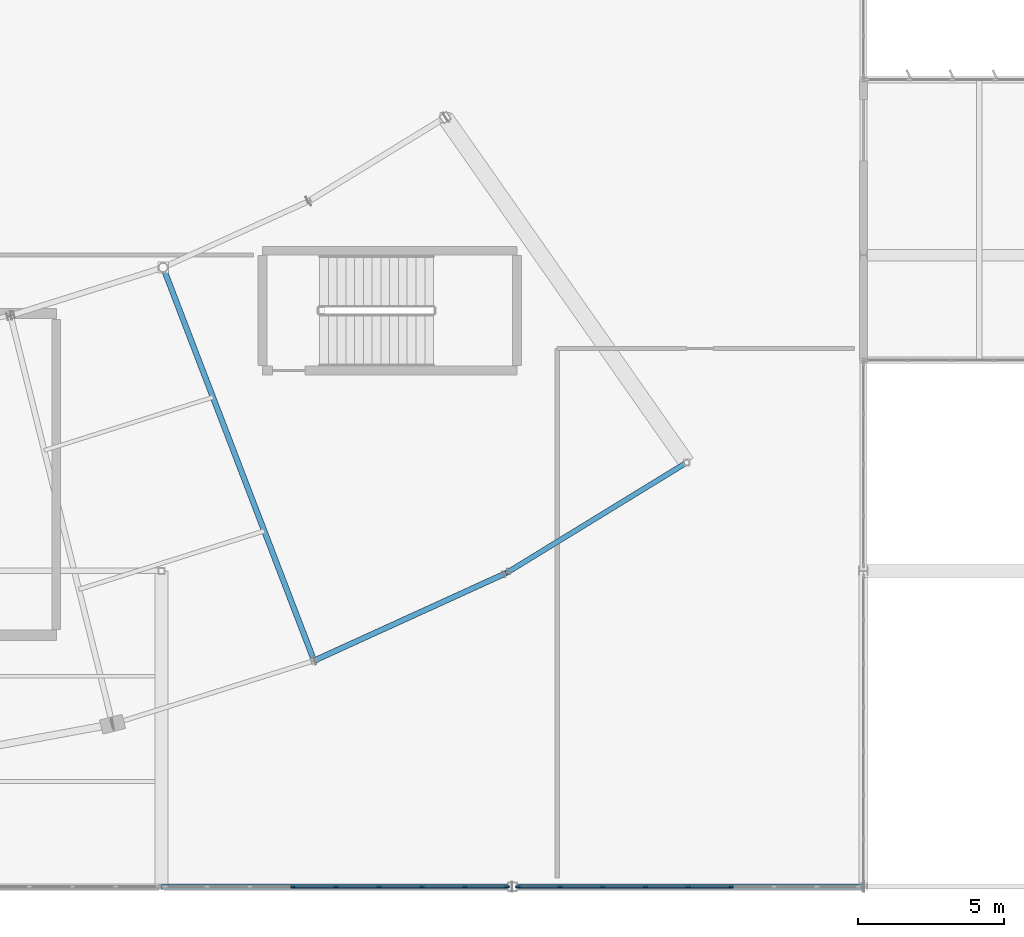
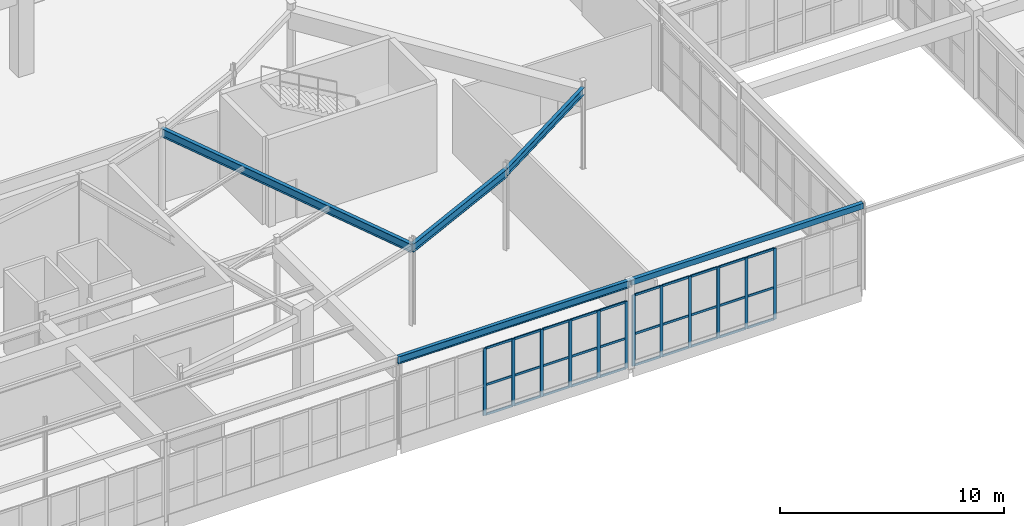
# One storey, part 63 of 186: 42 members, 5 beams, 2 elements without a shape of their own.
"""IFC4 building model written with IfcOpenShell, lengths in metres."""

from ifc_helpers import new_model, si_unit, direction, frame, origin, origin_2d, place, context, subcontext, project, spatial, rectangle, hollow_rectangle, i_section, extrude, material, layer, layer_set, material_profile, profile_set, type_object, element, aggregate, save


model = new_model("IFC4")

# Units and contexts
model_context = context("Model", 3, precision=1e-05, world=origin(), true_north=direction((0.0, 1.0)))
body_context = subcontext(model_context, "Body", "Model", "MODEL_VIEW")
ifc_project = project(units=[si_unit("LENGTHUNIT", "METRE"), si_unit("AREAUNIT", "SQUARE_METRE"), si_unit("VOLUMEUNIT", "CUBIC_METRE"), si_unit("PLANEANGLEUNIT", "RADIAN"), si_unit("MASSUNIT", "GRAM", prefix="KILO")], contexts=[model_context])

# Site, building, storey
site_placement = place(None, origin())
site = spatial("IfcSite", under=ifc_project, at=site_placement, CompositionType="ELEMENT")
building_placement = place(site_placement, origin())
building = spatial("IfcBuilding", under=site, at=building_placement, Name="Tarnwether General Hospital", CompositionType="ELEMENT")
storey_placement = place(building_placement, frame((0.0, 0.0, 9.60009765625)))
storey = spatial("IfcBuildingStorey", under=building, at=storey_placement, Name="L02", CompositionType="ELEMENT", Elevation=9.60009765625)

# Beams
ifc_material_1 = material(Name="Steel Grade 350 (350 MPa)", Category="steel")
ifc_material_profile_1 = material_profile(ifc_material_1, i_section(OverallWidth=0.18994140625, OverallDepth=0.45703125, WebThickness=0.009033203125, FlangeThickness=0.014404296875, at=origin_2d()), Name="460UB74.6")
ifc_profile_set_1 = profile_set([ifc_material_profile_1], Name="Steel Grade 350 (350 MPa)")
beam_type_1 = type_object("IfcBeamType", Name="BM-G09", PredefinedType="BEAM", material=ifc_profile_set_1)
beam_1_placement = place(storey_placement, frame((113.215087890625, 7.73193359375, 4.201416015625), z_axis=(-0.358334838026, 0.933593136145, 0.0), x_axis=(-0.933593136145, -0.358334838026, 0.0)))
element("IfcBeam", 1, at=beam_1_placement, inside=storey, type_object=beam_type_1, Name="Curved Ward SE Radial Girder BMG-L02-11322_773-10806_2118-2072", PredefinedType="BEAM", context=body_context, shape_type="SweptSolid", body=[
    extrude(i_section(OverallWidth=0.18994140625, OverallDepth=0.45703125, WebThickness=0.009033203125, FlangeThickness=0.014404296875, at=origin_2d()), origin(), (0.0, 0.0, 1.0), 14.400390625),
])
ifc_material_2 = material(Name="Steel Grade 350 (350 MPa)", Category="steel")
ifc_material_profile_2 = material_profile(ifc_material_2, i_section(OverallWidth=0.18994140625, OverallDepth=0.4541015625, WebThickness=0.008544921875, FlangeThickness=0.0126953125, at=origin_2d()), Name="460UB67.1")
ifc_profile_set_2 = profile_set([ifc_material_profile_2], Name="Steel Grade 350 (350 MPa)")
beam_type_2 = type_object("IfcBeamType", Name="BM-SP1", PredefinedType="SPANDREL", material=ifc_profile_set_2)
beam_2_placement = place(storey_placement, frame((113.215087890625, 7.73193359375, 4.202880859375), z_axis=(0.909943842177, 0.414731484316, 0.0), x_axis=(-0.414731484316, 0.909943842177, 0.0)))
element("IfcBeam", 2, at=beam_2_placement, inside=storey, type_object=beam_type_2, Name="Curved Ward SE Outer Spandrel BMG-L02-11322_773-11979_1073-2094", PredefinedType="SPANDREL", context=body_context, shape_type="SweptSolid", body=[
    extrude(i_section(OverallWidth=0.18994140625, OverallDepth=0.4541015625, WebThickness=0.008544921875, FlangeThickness=0.0126953125, at=origin_2d()), origin(), (0.0, 0.0, 1.0), 7.22900390625),
])
ifc_material_3 = material(Name="Steel Grade 350 (350 MPa)", Category="steel")
ifc_material_profile_3 = material_profile(ifc_material_3, i_section(OverallWidth=0.177978515625, OverallDepth=0.403076171875, WebThickness=0.007568359375, FlangeThickness=0.010986328125, at=origin_2d()), Name="410UB53.7")
ifc_profile_set_3 = profile_set([ifc_material_profile_3], Name="Steel Grade 350 (350 MPa)")
beam_type_3 = type_object("IfcBeamType", Name="BM-SP2", PredefinedType="SPANDREL", material=ifc_profile_set_3)
beam_3_placement = place(storey_placement, frame((108.0, 0.0, 4.598388671875), z_axis=(1.0, 0.0, 0.0), x_axis=(0.0, 1.0, 0.0)))
element("IfcBeam", 3, at=beam_3_placement, inside=storey, type_object=beam_type_3, Name="Primary Girder BMG-L02-10800_0-12000_0-1533", PredefinedType="SPANDREL", context=body_context, shape_type="SweptSolid", body=[
    extrude(i_section(OverallWidth=0.177978515625, OverallDepth=0.403076171875, WebThickness=0.007568359375, FlangeThickness=0.010986328125, at=origin_2d()), origin(), (0.0, 0.0, 1.0), 12.0),
])
beam_4_placement = place(storey_placement, frame((119.79296875, 10.72998046875, 4.228515625), z_axis=(0.852678430503, 0.522436114902, 0.0), x_axis=(-0.522436114902, 0.852678430503, 0.0)))
element("IfcBeam", 4, at=beam_4_placement, inside=storey, type_object=beam_type_3, Name="Curved Ward SE Outer Spandrel BMG-L02-11979_1073-12596_1451-2096", PredefinedType="SPANDREL", context=body_context, shape_type="SweptSolid", body=[
    extrude(i_section(OverallWidth=0.177978515625, OverallDepth=0.403076171875, WebThickness=0.007568359375, FlangeThickness=0.010986328125, at=origin_2d()), origin(), (0.0, 0.0, 1.0), 7.22802734375),
])
ifc_material_4 = material(Name="Steel Grade C350L0 (350 MPa)", Category="steel")
ifc_material_profile_4 = material_profile(ifc_material_4, hollow_rectangle(XDim=0.199951171875, YDim=0.300048828125, WallThickness=0.012451171875, at=origin_2d()), Name="RHS300x200x12.5")
ifc_profile_set_4 = profile_set([ifc_material_profile_4], Name="Steel Grade C350L0 (350 MPa)")
beam_type_4 = type_object("IfcBeamType", Name="BM-SP3", PredefinedType="SPANDREL", material=ifc_profile_set_4)
beam_5_placement = place(storey_placement, frame((120.0, 0.0, 4.64990234375), z_axis=(1.0, 0.0, 0.0), x_axis=(0.0, 1.0, 0.0)))
element("IfcBeam", 5, at=beam_5_placement, inside=storey, type_object=beam_type_4, Name="Primary Girder BMG-L02-12000_0-13200_0-1541", PredefinedType="SPANDREL", context=body_context, shape_type="SweptSolid", body=[
    extrude(hollow_rectangle(XDim=0.199951171875, YDim=0.300048828125, WallThickness=0.012451171875, at=origin_2d()), origin(), (0.0, 0.0, 1.0), 12.0),
])

# Curtain wall, members
ifc_material_5 = material(Name="Anodised aluminium", Category="aluminium")
ifc_layer = layer(ifc_material_5, 0.159912109375)
ifc_layer_set = layer_set([ifc_layer], Name="Anodised aluminium")
curtain_wall_type = type_object("IfcCurtainWallType", Name="CW-13", PredefinedType="NOTDEFINED", material=ifc_layer_set)
curtain_wall_1_placement = place(storey_placement, origin())
curtain_wall_1 = element("IfcCurtainWall", 6, at=curtain_wall_1_placement, inside=storey, type_object=curtain_wall_type, Name="Curtain Wall CWG-L02-1319_0-0409", PredefinedType="NOTDEFINED")
ifc_material_6 = material(Name="Anodised aluminium", Category="aluminium")
ifc_material_profile_5 = material_profile(ifc_material_6, rectangle(XDim=0.06005859375, YDim=0.159912109375, at=origin_2d()), Name="ALU-MUL-60x160")
ifc_profile_set_5 = profile_set([ifc_material_profile_5], Name="Anodised aluminium")
member_type_1 = type_object("IfcMemberType", Name="CW-ML1", PredefinedType="MULLION", material=ifc_profile_set_5)
member_1_placement = place(storey_placement, frame((127.474853515625, 0.0, 0.0), z_axis=(0.0, 0.0, 1.0), x_axis=(0.0, -1.0, 0.0)))
member_1 = element("IfcMember", 7, at=member_1_placement, type_object=member_type_1, Name="CW-13 mullion 4", PredefinedType="MULLION", context=body_context, shape_type="SweptSolid", body=[
    extrude(rectangle(XDim=0.06005859375, YDim=0.159912109375, at=origin_2d()), origin(), (0.0, 0.0, 1.0), 3.885009765625),
])
member_2_placement = place(storey_placement, frame((126.011474609375, 0.0, 0.0), z_axis=(0.0, 0.0, 1.0), x_axis=(0.0, -1.0, 0.0)))
member_2 = element("IfcMember", 8, at=member_2_placement, type_object=member_type_1, Name="CW-13 mullion 5", PredefinedType="MULLION", context=body_context, shape_type="SweptSolid", body=[
    extrude(rectangle(XDim=0.06005859375, YDim=0.159912109375, at=origin_2d()), origin(), (0.0, 0.0, 1.0), 3.885009765625),
])
member_3_placement = place(storey_placement, frame((124.548095703125, 0.0, 0.0), z_axis=(0.0, 0.0, 1.0), x_axis=(0.0, -1.0, 0.0)))
member_3 = element("IfcMember", 9, at=member_3_placement, type_object=member_type_1, Name="CW-13 mullion 6", PredefinedType="MULLION", context=body_context, shape_type="SweptSolid", body=[
    extrude(rectangle(XDim=0.06005859375, YDim=0.159912109375, at=origin_2d()), origin(), (0.0, 0.0, 1.0), 3.885009765625),
])
member_4_placement = place(storey_placement, frame((123.084716796875, 0.0, 0.0), z_axis=(0.0, 0.0, 1.0), x_axis=(0.0, -1.0, 0.0)))
member_4 = element("IfcMember", 10, at=member_4_placement, type_object=member_type_1, Name="CW-13 mullion 7", PredefinedType="MULLION", context=body_context, shape_type="SweptSolid", body=[
    extrude(rectangle(XDim=0.06005859375, YDim=0.159912109375, at=origin_2d()), origin(), (0.0, 0.0, 1.0), 3.885009765625),
])
member_5_placement = place(storey_placement, frame((121.621337890625, 0.0, 0.0), z_axis=(0.0, 0.0, 1.0), x_axis=(0.0, -1.0, 0.0)))
member_5 = element("IfcMember", 11, at=member_5_placement, type_object=member_type_1, Name="CW-13 mullion 8", PredefinedType="MULLION", context=body_context, shape_type="SweptSolid", body=[
    extrude(rectangle(XDim=0.06005859375, YDim=0.159912109375, at=origin_2d()), origin(), (0.0, 0.0, 1.0), 3.885009765625),
])
member_6_placement = place(storey_placement, frame((120.18798828125, 0.0, 0.0), z_axis=(0.0, 0.0, 1.0), x_axis=(0.0, -1.0, 0.0)))
member_6 = element("IfcMember", 12, at=member_6_placement, type_object=member_type_1, Name="CW-13 mullion 9", PredefinedType="MULLION", context=body_context, shape_type="SweptSolid", body=[
    extrude(rectangle(XDim=0.06005859375, YDim=0.159912109375, at=origin_2d()), origin(), (0.0, 0.0, 1.0), 3.885009765625),
])

curtain_wall_2_placement = place(storey_placement, origin())
curtain_wall_2 = element("IfcCurtainWall", 13, at=curtain_wall_2_placement, inside=storey, type_object=curtain_wall_type, Name="Curtain Wall CWG-L02-1198_0-0410", PredefinedType="NOTDEFINED")
member_7_placement = place(storey_placement, frame((119.81201171875, 0.0, 0.0), z_axis=(0.0, 0.0, 1.0), x_axis=(0.0, -1.0, 0.0)))
member_7 = element("IfcMember", 14, at=member_7_placement, type_object=member_type_1, Name="CW-13 mullion 1", PredefinedType="MULLION", context=body_context, shape_type="SweptSolid", body=[
    extrude(rectangle(XDim=0.06005859375, YDim=0.159912109375, at=origin_2d()), origin(), (0.0, 0.0, 1.0), 3.664794921875),
])
member_8_placement = place(storey_placement, frame((118.372314453125, 0.0, 0.0), z_axis=(0.0, 0.0, 1.0), x_axis=(0.0, -1.0, 0.0)))
member_8 = element("IfcMember", 15, at=member_8_placement, type_object=member_type_1, Name="CW-13 mullion 2", PredefinedType="MULLION", context=body_context, shape_type="SweptSolid", body=[
    extrude(rectangle(XDim=0.06005859375, YDim=0.159912109375, at=origin_2d()), origin(), (0.0, 0.0, 1.0), 3.664794921875),
])
member_9_placement = place(storey_placement, frame((116.902587890625, 0.0, 0.0), z_axis=(0.0, 0.0, 1.0), x_axis=(0.0, -1.0, 0.0)))
member_9 = element("IfcMember", 16, at=member_9_placement, type_object=member_type_1, Name="CW-13 mullion 3", PredefinedType="MULLION", context=body_context, shape_type="SweptSolid", body=[
    extrude(rectangle(XDim=0.06005859375, YDim=0.159912109375, at=origin_2d()), origin(), (0.0, 0.0, 1.0), 3.664794921875),
])
member_10_placement = place(storey_placement, frame((115.432861328125, 0.0, 0.0), z_axis=(0.0, 0.0, 1.0), x_axis=(0.0, -1.0, 0.0)))
member_10 = element("IfcMember", 17, at=member_10_placement, type_object=member_type_1, Name="CW-13 mullion 4", PredefinedType="MULLION", context=body_context, shape_type="SweptSolid", body=[
    extrude(rectangle(XDim=0.06005859375, YDim=0.159912109375, at=origin_2d()), origin(), (0.0, 0.0, 1.0), 3.664794921875),
])
member_11_placement = place(storey_placement, frame((113.962890625, 0.0, 0.0), z_axis=(0.0, 0.0, 1.0), x_axis=(0.0, -1.0, 0.0)))
member_11 = element("IfcMember", 18, at=member_11_placement, type_object=member_type_1, Name="CW-13 mullion 5", PredefinedType="MULLION", context=body_context, shape_type="SweptSolid", body=[
    extrude(rectangle(XDim=0.06005859375, YDim=0.159912109375, at=origin_2d()), origin(), (0.0, 0.0, 1.0), 3.664794921875),
])
member_12_placement = place(storey_placement, frame((112.4931640625, 0.0, 0.0), z_axis=(0.0, 0.0, 1.0), x_axis=(0.0, -1.0, 0.0)))
member_12 = element("IfcMember", 19, at=member_12_placement, type_object=member_type_1, Name="CW-13 mullion 6", PredefinedType="MULLION", context=body_context, shape_type="SweptSolid", body=[
    extrude(rectangle(XDim=0.06005859375, YDim=0.159912109375, at=origin_2d()), origin(), (0.0, 0.0, 1.0), 3.664794921875),
])

# Member
ifc_material_7 = material(Name="Anodised aluminium", Category="aluminium")
ifc_material_profile_6 = material_profile(ifc_material_7, rectangle(XDim=0.06005859375, YDim=0.1201171875, at=origin_2d()), Name="ALU-TRN-60x120")
ifc_profile_set_6 = profile_set([ifc_material_profile_6], Name="Anodised aluminium")
member_type_2 = type_object("IfcMemberType", Name="CW-TR1", PredefinedType="USERDEFINED", material=ifc_profile_set_6)
member_13_placement = place(storey_placement, frame((127.44482421875, 0.0, 0.02978515625), z_axis=(-1.0, 0.0, 0.0), x_axis=(0.0, -1.0, 0.0)))
member_13 = element("IfcMember", 20, at=member_13_placement, type_object=member_type_2, Name="CW-13 transom 4.1", ObjectType="TRANSOM", PredefinedType="USERDEFINED", context=body_context, shape_type="SweptSolid", body=[
    extrude(rectangle(XDim=0.06005859375, YDim=0.1201171875, at=origin_2d()), origin(), (0.0, 0.0, 1.0), 1.4033203125),
])

member_14_placement = place(storey_placement, frame((127.44482421875, 0.0, 1.748291015625), z_axis=(-1.0, 0.0, 0.0), x_axis=(0.0, -1.0, 0.0)))
member_14 = element("IfcMember", 21, at=member_14_placement, type_object=member_type_2, Name="CW-13 transom 4.2", ObjectType="TRANSOM", PredefinedType="USERDEFINED", context=body_context, shape_type="SweptSolid", body=[
    extrude(rectangle(XDim=0.06005859375, YDim=0.1201171875, at=origin_2d()), origin(), (0.0, 0.0, 1.0), 1.4033203125),
])

member_15_placement = place(storey_placement, frame((127.44482421875, 0.0, 3.85498046875), z_axis=(-1.0, 0.0, 0.0), x_axis=(0.0, -1.0, 0.0)))
member_15 = element("IfcMember", 22, at=member_15_placement, type_object=member_type_2, Name="CW-13 transom 4.3", ObjectType="TRANSOM", PredefinedType="USERDEFINED", context=body_context, shape_type="SweptSolid", body=[
    extrude(rectangle(XDim=0.06005859375, YDim=0.1201171875, at=origin_2d()), origin(), (0.0, 0.0, 1.0), 1.4033203125),
])

member_16_placement = place(storey_placement, frame((125.9814453125, 0.0, 0.02978515625), z_axis=(-1.0, 0.0, 0.0), x_axis=(0.0, -1.0, 0.0)))
member_16 = element("IfcMember", 23, at=member_16_placement, type_object=member_type_2, Name="CW-13 transom 5.1", ObjectType="TRANSOM", PredefinedType="USERDEFINED", context=body_context, shape_type="SweptSolid", body=[
    extrude(rectangle(XDim=0.06005859375, YDim=0.1201171875, at=origin_2d()), origin(), (0.0, 0.0, 1.0), 1.4033203125),
])

member_17_placement = place(storey_placement, frame((125.9814453125, 0.0, 1.748291015625), z_axis=(-1.0, 0.0, 0.0), x_axis=(0.0, -1.0, 0.0)))
member_17 = element("IfcMember", 24, at=member_17_placement, type_object=member_type_2, Name="CW-13 transom 5.2", ObjectType="TRANSOM", PredefinedType="USERDEFINED", context=body_context, shape_type="SweptSolid", body=[
    extrude(rectangle(XDim=0.06005859375, YDim=0.1201171875, at=origin_2d()), origin(), (0.0, 0.0, 1.0), 1.4033203125),
])

member_18_placement = place(storey_placement, frame((125.9814453125, 0.0, 3.85498046875), z_axis=(-1.0, 0.0, 0.0), x_axis=(0.0, -1.0, 0.0)))
member_18 = element("IfcMember", 25, at=member_18_placement, type_object=member_type_2, Name="CW-13 transom 5.3", ObjectType="TRANSOM", PredefinedType="USERDEFINED", context=body_context, shape_type="SweptSolid", body=[
    extrude(rectangle(XDim=0.06005859375, YDim=0.1201171875, at=origin_2d()), origin(), (0.0, 0.0, 1.0), 1.4033203125),
])

member_19_placement = place(storey_placement, frame((124.51806640625, 0.0, 0.02978515625), z_axis=(-1.0, 0.0, 0.0), x_axis=(0.0, -1.0, 0.0)))
member_19 = element("IfcMember", 26, at=member_19_placement, type_object=member_type_2, Name="CW-13 transom 6.1", ObjectType="TRANSOM", PredefinedType="USERDEFINED", context=body_context, shape_type="SweptSolid", body=[
    extrude(rectangle(XDim=0.06005859375, YDim=0.1201171875, at=origin_2d()), origin(), (0.0, 0.0, 1.0), 1.4033203125),
])

member_20_placement = place(storey_placement, frame((124.51806640625, 0.0, 1.748291015625), z_axis=(-1.0, 0.0, 0.0), x_axis=(0.0, -1.0, 0.0)))
member_20 = element("IfcMember", 27, at=member_20_placement, type_object=member_type_2, Name="CW-13 transom 6.2", ObjectType="TRANSOM", PredefinedType="USERDEFINED", context=body_context, shape_type="SweptSolid", body=[
    extrude(rectangle(XDim=0.06005859375, YDim=0.1201171875, at=origin_2d()), origin(), (0.0, 0.0, 1.0), 1.4033203125),
])

member_21_placement = place(storey_placement, frame((124.51806640625, 0.0, 3.85498046875), z_axis=(-1.0, 0.0, 0.0), x_axis=(0.0, -1.0, 0.0)))
member_21 = element("IfcMember", 28, at=member_21_placement, type_object=member_type_2, Name="CW-13 transom 6.3", ObjectType="TRANSOM", PredefinedType="USERDEFINED", context=body_context, shape_type="SweptSolid", body=[
    extrude(rectangle(XDim=0.06005859375, YDim=0.1201171875, at=origin_2d()), origin(), (0.0, 0.0, 1.0), 1.4033203125),
])

member_22_placement = place(storey_placement, frame((123.0546875, 0.0, 0.02978515625), z_axis=(-1.0, 0.0, 0.0), x_axis=(0.0, -1.0, 0.0)))
member_22 = element("IfcMember", 29, at=member_22_placement, type_object=member_type_2, Name="CW-13 transom 7.1", ObjectType="TRANSOM", PredefinedType="USERDEFINED", context=body_context, shape_type="SweptSolid", body=[
    extrude(rectangle(XDim=0.06005859375, YDim=0.1201171875, at=origin_2d()), origin(), (0.0, 0.0, 1.0), 1.4033203125),
])

member_23_placement = place(storey_placement, frame((123.0546875, 0.0, 1.748291015625), z_axis=(-1.0, 0.0, 0.0), x_axis=(0.0, -1.0, 0.0)))
member_23 = element("IfcMember", 30, at=member_23_placement, type_object=member_type_2, Name="CW-13 transom 7.2", ObjectType="TRANSOM", PredefinedType="USERDEFINED", context=body_context, shape_type="SweptSolid", body=[
    extrude(rectangle(XDim=0.06005859375, YDim=0.1201171875, at=origin_2d()), origin(), (0.0, 0.0, 1.0), 1.4033203125),
])

member_24_placement = place(storey_placement, frame((123.0546875, 0.0, 3.85498046875), z_axis=(-1.0, 0.0, 0.0), x_axis=(0.0, -1.0, 0.0)))
member_24 = element("IfcMember", 31, at=member_24_placement, type_object=member_type_2, Name="CW-13 transom 7.3", ObjectType="TRANSOM", PredefinedType="USERDEFINED", context=body_context, shape_type="SweptSolid", body=[
    extrude(rectangle(XDim=0.06005859375, YDim=0.1201171875, at=origin_2d()), origin(), (0.0, 0.0, 1.0), 1.4033203125),
])

member_25_placement = place(storey_placement, frame((121.59130859375, 0.0, 0.02978515625), z_axis=(-1.0, 0.0, 0.0), x_axis=(0.0, -1.0, 0.0)))
member_25 = element("IfcMember", 32, at=member_25_placement, type_object=member_type_2, Name="CW-13 transom 8.1", ObjectType="TRANSOM", PredefinedType="USERDEFINED", context=body_context, shape_type="SweptSolid", body=[
    extrude(rectangle(XDim=0.06005859375, YDim=0.1201171875, at=origin_2d()), origin(), (0.0, 0.0, 1.0), 1.373291015625),
])

member_26_placement = place(storey_placement, frame((121.59130859375, 0.0, 1.748291015625), z_axis=(-1.0, 0.0, 0.0), x_axis=(0.0, -1.0, 0.0)))
member_26 = element("IfcMember", 33, at=member_26_placement, type_object=member_type_2, Name="CW-13 transom 8.2", ObjectType="TRANSOM", PredefinedType="USERDEFINED", context=body_context, shape_type="SweptSolid", body=[
    extrude(rectangle(XDim=0.06005859375, YDim=0.1201171875, at=origin_2d()), origin(), (0.0, 0.0, 1.0), 1.373291015625),
])

member_27_placement = place(storey_placement, frame((121.59130859375, 0.0, 3.85498046875), z_axis=(-1.0, 0.0, 0.0), x_axis=(0.0, -1.0, 0.0)))
member_27 = element("IfcMember", 34, at=member_27_placement, type_object=member_type_2, Name="CW-13 transom 8.3", ObjectType="TRANSOM", PredefinedType="USERDEFINED", context=body_context, shape_type="SweptSolid", body=[
    extrude(rectangle(XDim=0.06005859375, YDim=0.1201171875, at=origin_2d()), origin(), (0.0, 0.0, 1.0), 1.373291015625),
])

aggregate(curtain_wall_1, [member_1, member_2, member_3, member_4, member_5, member_6, member_13, member_14, member_15, member_16, member_17, member_18, member_19, member_20, member_21, member_22, member_23, member_24, member_25, member_26, member_27])

member_28_placement = place(storey_placement, frame((119.781982421875, 0.0, 0.02978515625), z_axis=(-1.0, 0.0, 0.0), x_axis=(0.0, -1.0, 0.0)))
member_28 = element("IfcMember", 35, at=member_28_placement, type_object=member_type_2, Name="CW-13 transom 1.1", ObjectType="TRANSOM", PredefinedType="USERDEFINED", context=body_context, shape_type="SweptSolid", body=[
    extrude(rectangle(XDim=0.06005859375, YDim=0.1201171875, at=origin_2d()), origin(), (0.0, 0.0, 1.0), 1.379638671875),
])

member_29_placement = place(storey_placement, frame((119.781982421875, 0.0, 1.649169921875), z_axis=(-1.0, 0.0, 0.0), x_axis=(0.0, -1.0, 0.0)))
member_29 = element("IfcMember", 36, at=member_29_placement, type_object=member_type_2, Name="CW-13 transom 1.2", ObjectType="TRANSOM", PredefinedType="USERDEFINED", context=body_context, shape_type="SweptSolid", body=[
    extrude(rectangle(XDim=0.06005859375, YDim=0.1201171875, at=origin_2d()), origin(), (0.0, 0.0, 1.0), 1.379638671875),
])

member_30_placement = place(storey_placement, frame((119.781982421875, 0.0, 3.635009765625), z_axis=(-1.0, 0.0, 0.0), x_axis=(0.0, -1.0, 0.0)))
member_30 = element("IfcMember", 37, at=member_30_placement, type_object=member_type_2, Name="CW-13 transom 1.3", ObjectType="TRANSOM", PredefinedType="USERDEFINED", context=body_context, shape_type="SweptSolid", body=[
    extrude(rectangle(XDim=0.06005859375, YDim=0.1201171875, at=origin_2d()), origin(), (0.0, 0.0, 1.0), 1.379638671875),
])

member_31_placement = place(storey_placement, frame((118.34228515625, 0.0, 0.02978515625), z_axis=(-1.0, 0.0, 0.0), x_axis=(0.0, -1.0, 0.0)))
member_31 = element("IfcMember", 38, at=member_31_placement, type_object=member_type_2, Name="CW-13 transom 2.1", ObjectType="TRANSOM", PredefinedType="USERDEFINED", context=body_context, shape_type="SweptSolid", body=[
    extrude(rectangle(XDim=0.06005859375, YDim=0.1201171875, at=origin_2d()), origin(), (0.0, 0.0, 1.0), 1.40966796875),
])

member_32_placement = place(storey_placement, frame((118.34228515625, 0.0, 1.649169921875), z_axis=(-1.0, 0.0, 0.0), x_axis=(0.0, -1.0, 0.0)))
member_32 = element("IfcMember", 39, at=member_32_placement, type_object=member_type_2, Name="CW-13 transom 2.2", ObjectType="TRANSOM", PredefinedType="USERDEFINED", context=body_context, shape_type="SweptSolid", body=[
    extrude(rectangle(XDim=0.06005859375, YDim=0.1201171875, at=origin_2d()), origin(), (0.0, 0.0, 1.0), 1.40966796875),
])

member_33_placement = place(storey_placement, frame((118.34228515625, 0.0, 3.635009765625), z_axis=(-1.0, 0.0, 0.0), x_axis=(0.0, -1.0, 0.0)))
member_33 = element("IfcMember", 40, at=member_33_placement, type_object=member_type_2, Name="CW-13 transom 2.3", ObjectType="TRANSOM", PredefinedType="USERDEFINED", context=body_context, shape_type="SweptSolid", body=[
    extrude(rectangle(XDim=0.06005859375, YDim=0.1201171875, at=origin_2d()), origin(), (0.0, 0.0, 1.0), 1.40966796875),
])

member_34_placement = place(storey_placement, frame((116.87255859375, 0.0, 0.02978515625), z_axis=(-1.0, 0.0, 0.0), x_axis=(0.0, -1.0, 0.0)))
member_34 = element("IfcMember", 41, at=member_34_placement, type_object=member_type_2, Name="CW-13 transom 3.1", ObjectType="TRANSOM", PredefinedType="USERDEFINED", context=body_context, shape_type="SweptSolid", body=[
    extrude(rectangle(XDim=0.06005859375, YDim=0.1201171875, at=origin_2d()), origin(), (0.0, 0.0, 1.0), 1.409912109375),
])

member_35_placement = place(storey_placement, frame((116.87255859375, 0.0, 1.649169921875), z_axis=(-1.0, 0.0, 0.0), x_axis=(0.0, -1.0, 0.0)))
member_35 = element("IfcMember", 42, at=member_35_placement, type_object=member_type_2, Name="CW-13 transom 3.2", ObjectType="TRANSOM", PredefinedType="USERDEFINED", context=body_context, shape_type="SweptSolid", body=[
    extrude(rectangle(XDim=0.06005859375, YDim=0.1201171875, at=origin_2d()), origin(), (0.0, 0.0, 1.0), 1.409912109375),
])

member_36_placement = place(storey_placement, frame((116.87255859375, 0.0, 3.635009765625), z_axis=(-1.0, 0.0, 0.0), x_axis=(0.0, -1.0, 0.0)))
member_36 = element("IfcMember", 43, at=member_36_placement, type_object=member_type_2, Name="CW-13 transom 3.3", ObjectType="TRANSOM", PredefinedType="USERDEFINED", context=body_context, shape_type="SweptSolid", body=[
    extrude(rectangle(XDim=0.06005859375, YDim=0.1201171875, at=origin_2d()), origin(), (0.0, 0.0, 1.0), 1.409912109375),
])

member_37_placement = place(storey_placement, frame((115.40283203125, 0.0, 0.02978515625), z_axis=(-1.0, 0.0, 0.0), x_axis=(0.0, -1.0, 0.0)))
member_37 = element("IfcMember", 44, at=member_37_placement, type_object=member_type_2, Name="CW-13 transom 4.1", ObjectType="TRANSOM", PredefinedType="USERDEFINED", context=body_context, shape_type="SweptSolid", body=[
    extrude(rectangle(XDim=0.06005859375, YDim=0.1201171875, at=origin_2d()), origin(), (0.0, 0.0, 1.0), 1.409912109375),
])

member_38_placement = place(storey_placement, frame((115.40283203125, 0.0, 1.649169921875), z_axis=(-1.0, 0.0, 0.0), x_axis=(0.0, -1.0, 0.0)))
member_38 = element("IfcMember", 45, at=member_38_placement, type_object=member_type_2, Name="CW-13 transom 4.2", ObjectType="TRANSOM", PredefinedType="USERDEFINED", context=body_context, shape_type="SweptSolid", body=[
    extrude(rectangle(XDim=0.06005859375, YDim=0.1201171875, at=origin_2d()), origin(), (0.0, 0.0, 1.0), 1.409912109375),
])

member_39_placement = place(storey_placement, frame((115.40283203125, 0.0, 3.635009765625), z_axis=(-1.0, 0.0, 0.0), x_axis=(0.0, -1.0, 0.0)))
member_39 = element("IfcMember", 46, at=member_39_placement, type_object=member_type_2, Name="CW-13 transom 4.3", ObjectType="TRANSOM", PredefinedType="USERDEFINED", context=body_context, shape_type="SweptSolid", body=[
    extrude(rectangle(XDim=0.06005859375, YDim=0.1201171875, at=origin_2d()), origin(), (0.0, 0.0, 1.0), 1.409912109375),
])

member_40_placement = place(storey_placement, frame((113.93310546875, 0.0, 0.02978515625), z_axis=(-1.0, 0.0, 0.0), x_axis=(0.0, -1.0, 0.0)))
member_40 = element("IfcMember", 47, at=member_40_placement, type_object=member_type_2, Name="CW-13 transom 5.1", ObjectType="TRANSOM", PredefinedType="USERDEFINED", context=body_context, shape_type="SweptSolid", body=[
    extrude(rectangle(XDim=0.06005859375, YDim=0.1201171875, at=origin_2d()), origin(), (0.0, 0.0, 1.0), 1.409912109375),
])

member_41_placement = place(storey_placement, frame((113.93310546875, 0.0, 1.649169921875), z_axis=(-1.0, 0.0, 0.0), x_axis=(0.0, -1.0, 0.0)))
member_41 = element("IfcMember", 48, at=member_41_placement, type_object=member_type_2, Name="CW-13 transom 5.2", ObjectType="TRANSOM", PredefinedType="USERDEFINED", context=body_context, shape_type="SweptSolid", body=[
    extrude(rectangle(XDim=0.06005859375, YDim=0.1201171875, at=origin_2d()), origin(), (0.0, 0.0, 1.0), 1.409912109375),
])

member_42_placement = place(storey_placement, frame((113.93310546875, 0.0, 3.635009765625), z_axis=(-1.0, 0.0, 0.0), x_axis=(0.0, -1.0, 0.0)))
member_42 = element("IfcMember", 49, at=member_42_placement, type_object=member_type_2, Name="CW-13 transom 5.3", ObjectType="TRANSOM", PredefinedType="USERDEFINED", context=body_context, shape_type="SweptSolid", body=[
    extrude(rectangle(XDim=0.06005859375, YDim=0.1201171875, at=origin_2d()), origin(), (0.0, 0.0, 1.0), 1.409912109375),
])

aggregate(curtain_wall_2, [member_7, member_8, member_9, member_10, member_11, member_12, member_28, member_29, member_30, member_31, member_32, member_33, member_34, member_35, member_36, member_37, member_38, member_39, member_40, member_41, member_42])

save(model, "model.ifc")
